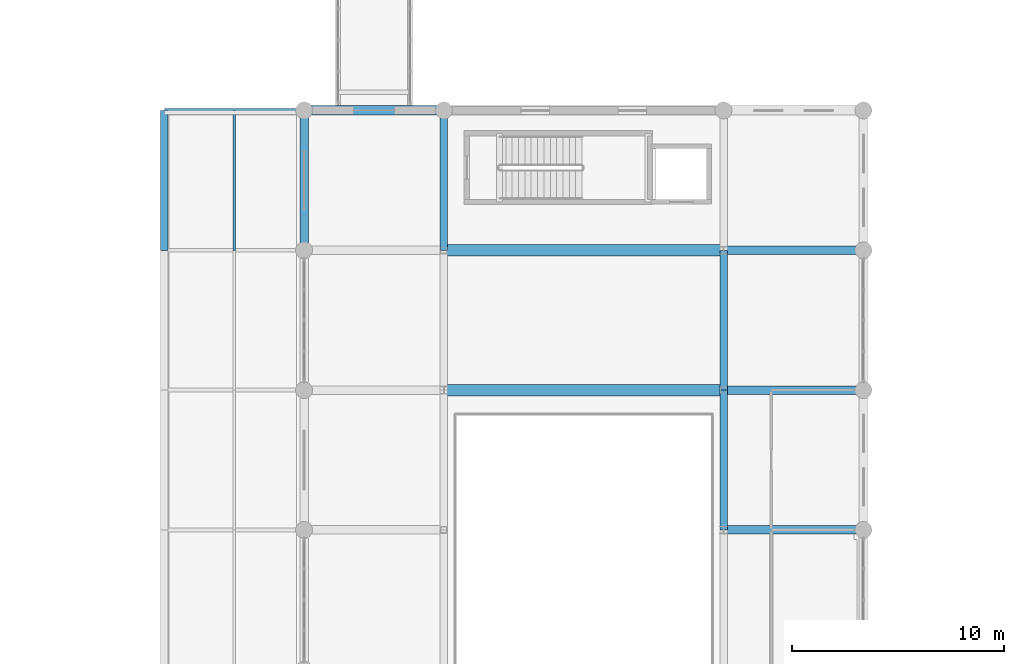
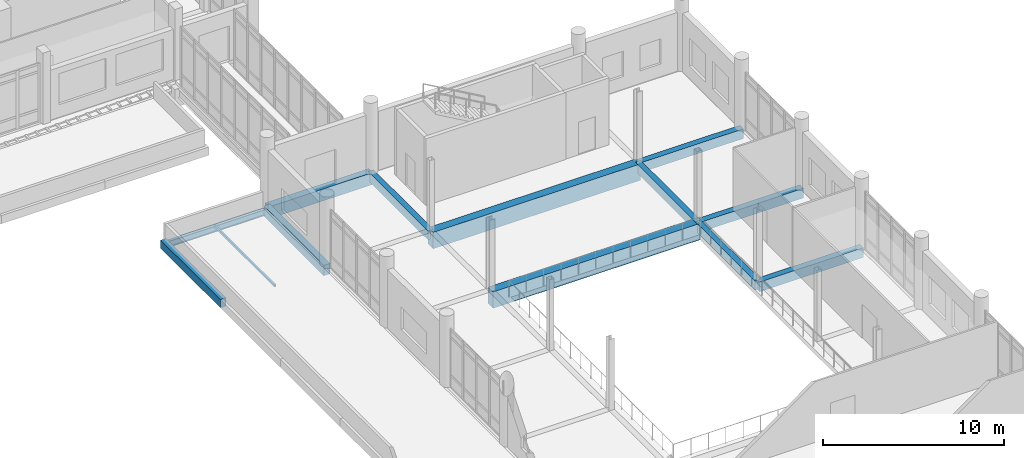
# One storey, part 27 of 125: 12 beams, 1 member.
"""IFC4 building model written with IfcOpenShell, lengths in metres."""

from ifc_helpers import new_model, si_unit, direction, frame, origin, origin_2d, place, context, subcontext, project, spatial, rectangle, hollow_rectangle, i_section, extrude, material, material_profile, profile_set, type_object, element, save


model = new_model("IFC4")

# Units and contexts
model_context = context("Model", 3, precision=1e-05, world=origin(), true_north=direction((0.0, 1.0)))
body_context = subcontext(model_context, "Body", "Model", "MODEL_VIEW")
ifc_project = project(units=[si_unit("LENGTHUNIT", "METRE"), si_unit("AREAUNIT", "SQUARE_METRE"), si_unit("VOLUMEUNIT", "CUBIC_METRE"), si_unit("PLANEANGLEUNIT", "RADIAN"), si_unit("MASSUNIT", "GRAM", prefix="KILO")], contexts=[model_context])

# Site, building, storey
site_placement = place(None, origin())
site = spatial("IfcSite", under=ifc_project, at=site_placement, CompositionType="ELEMENT")
building_placement = place(site_placement, origin())
building = spatial("IfcBuilding", under=site, at=building_placement, Name="Dornvale Research Institute", CompositionType="ELEMENT")
storey_placement = place(building_placement, frame((0.0, 0.0, 5.39990234375)))
storey = spatial("IfcBuildingStorey", under=building, at=storey_placement, Name="L01", CompositionType="ELEMENT", Elevation=5.39990234375)

# Beams
ifc_material_1 = material(Name="Concrete f'c 45 MPa (C35/45)", Category="concrete")
ifc_material_profile_1 = material_profile(ifc_material_1, rectangle(XDim=0.35009765625, YDim=0.60009765625, at=origin_2d()), Name="RC 350x600")
ifc_profile_set_1 = profile_set([ifc_material_profile_1], Name="Concrete f'c 45 MPa (C35/45)")
beam_type_1 = type_object("IfcBeamType", Name="Beam_RC350x600_Floor", PredefinedType="BEAM", material=ifc_profile_set_1)
for number, where, z_axis, x_axis, name in (
    (1, (46.199951171875, 79.199951171875, -0.2998046875), (0.0, 1.0, 0.0), (-1.0, 0.0, 0.0), "L01 transverse girder #537"),
    (2, (59.39990234375, 66.0, -0.2998046875), (0.0, 1.0, 0.0), (-1.0, 0.0, 0.0), "L01 transverse girder #542"),
):
    element("IfcBeam", number, at=place(storey_placement, frame(where, z_axis=z_axis, x_axis=x_axis)), inside=storey, type_object=beam_type_1, Name=name, PredefinedType="BEAM", context=body_context, shape_type="SweptSolid", body=[
        extrude(rectangle(XDim=0.35009765625, YDim=0.60009765625, at=origin_2d()), origin(), (0.0, 0.0, 1.0), 6.60009765625),
    ])
beam_1_placement = place(storey_placement, frame((59.39990234375, 72.60009765625, -0.2998046875), z_axis=(0.0, 1.0, 0.0), x_axis=(-1.0, 0.0, 0.0)))
element("IfcBeam", 3, at=beam_1_placement, inside=storey, type_object=beam_type_1, Name="L01 transverse girder #543", PredefinedType="BEAM", context=body_context, shape_type="SweptSolid", body=[
    extrude(rectangle(XDim=0.35009765625, YDim=0.60009765625, at=origin_2d()), origin(), (0.0, 0.0, 1.0), 6.599853515625),
])
ifc_material_2 = material(Name="Concrete f'c 45 MPa (C35/45)", Category="concrete")
ifc_material_profile_2 = material_profile(ifc_material_2, rectangle(XDim=0.39990234375, YDim=0.64990234375, at=origin_2d()), Name="RC 400x650")
ifc_profile_set_2 = profile_set([ifc_material_profile_2], Name="Concrete f'c 45 MPa (C35/45)")
beam_type_2 = type_object("IfcBeamType", Name="Beam_RC400x650_Floor", PredefinedType="BEAM", material=ifc_profile_set_2)
for number, where, z_axis, x_axis, name in (
    (4, (59.39990234375, 66.0, -0.324951171875), (1.0, 0.0, 0.0), (0.0, 1.0, 0.0), "L01 primary girder #514"),
    (5, (59.39990234375, 72.60009765625, -0.324951171875), (1.0, 0.0, 0.0), (0.0, 1.0, 0.0), "L01 primary girder #517"),
    (6, (59.39990234375, 79.199951171875, -0.324951171875), (1.0, 0.0, 0.0), (0.0, 1.0, 0.0), "L01 primary girder #520"),
):
    element("IfcBeam", number, at=place(storey_placement, frame(where, z_axis=z_axis, x_axis=x_axis)), inside=storey, type_object=beam_type_2, Name=name, PredefinedType="BEAM", context=body_context, shape_type="SweptSolid", body=[
        extrude(rectangle(XDim=0.39990234375, YDim=0.64990234375, at=origin_2d()), origin(), (0.0, 0.0, 1.0), 6.60009765625),
    ])
ifc_material_3 = material(Name="Concrete f'c 45 MPa (C35/45)", Category="concrete")
ifc_material_profile_3 = material_profile(ifc_material_3, rectangle(XDim=0.550048828125, YDim=1.10009765625, at=origin_2d()), Name="RC 550x1100")
ifc_profile_set_3 = profile_set([ifc_material_profile_3], Name="Concrete f'c 45 MPa (C35/45)")
beam_type_3 = type_object("IfcBeamType", Name="Beam_RC550x1100_Girder", PredefinedType="BEAM", material=ifc_profile_set_3)
for number, where, z_axis, x_axis, name in (
    (7, (46.199951171875, 72.60009765625, -0.5498046875), (1.0, 0.0, 0.0), (0.0, 1.0, 0.0), "L01 primary girder #516"),
    (8, (46.199951171875, 79.199951171875, -0.5498046875), (1.0, 0.0, 0.0), (0.0, 1.0, 0.0), "L01 primary girder #519"),
):
    element("IfcBeam", number, at=place(storey_placement, frame(where, z_axis=z_axis, x_axis=x_axis)), inside=storey, type_object=beam_type_3, Name=name, PredefinedType="BEAM", context=body_context, shape_type="SweptSolid", body=[
        extrude(rectangle(XDim=0.550048828125, YDim=1.10009765625, at=origin_2d()), origin(), (0.0, 0.0, 1.0), 13.199951171875),
    ])
ifc_material_4 = material(Name="Steel ASTM A992 Grade 50", Category="steel")
ifc_material_profile_4 = material_profile(ifc_material_4, i_section(OverallWidth=0.178955078125, OverallDepth=0.409912109375, WebThickness=0.0087890625, FlangeThickness=0.014404296875, at=origin_2d()), Name="W16X45")
ifc_profile_set_4 = profile_set([ifc_material_profile_4], Name="Steel ASTM A992 Grade 50")
beam_type_4 = type_object("IfcBeamType", Name="Beam_Steel_W16X45_Canopy", PredefinedType="BEAM", material=ifc_profile_set_4)
beam_2_placement = place(storey_placement, frame((33.0, 85.800048828125, -0.40478515625), z_axis=(1.0, 0.0, 0.0), x_axis=(0.0, 1.0, 0.0)))
element("IfcBeam", 9, at=beam_2_placement, inside=storey, type_object=beam_type_4, Name="L01 entrance canopy rib #1895", PredefinedType="BEAM", context=body_context, shape_type="SweptSolid", body=[
    extrude(i_section(OverallWidth=0.178955078125, OverallDepth=0.409912109375, WebThickness=0.0087890625, FlangeThickness=0.014404296875, at=origin_2d()), origin(), (0.0, 0.0, 1.0), 6.60009765625),
])
ifc_material_5 = material(Name="Concrete f'c 45 MPa (C35/45)", Category="concrete")
ifc_material_profile_5 = material_profile(ifc_material_5, rectangle(XDim=0.35009765625, YDim=0.550048828125, at=origin_2d()), Name="RC 350x550")
ifc_profile_set_5 = profile_set([ifc_material_profile_5], Name="Concrete f'c 45 MPa (C35/45)")
beam_type_5 = type_object("IfcBeamType", Name="Lintel_RC350x550_Arch", PredefinedType="LINTEL", material=ifc_profile_set_5)
beam_3_placement = place(storey_placement, frame((33.0, 79.199951171875, -0.27490234375), z_axis=(0.0, 1.0, 0.0), x_axis=(-1.0, 0.0, 0.0)))
element("IfcBeam", 10, at=beam_3_placement, inside=storey, type_object=beam_type_5, Name="L01 colonnade arch lintel #1879", PredefinedType="LINTEL", context=body_context, shape_type="SweptSolid", body=[
    extrude(rectangle(XDim=0.35009765625, YDim=0.550048828125, at=origin_2d()), origin(), (0.0, 0.0, 1.0), 6.60009765625),
])

# Member
ifc_material_6 = material(Name="Steel ASTM A500 Grade C", Category="steel")
ifc_material_profile_6 = material_profile(ifc_material_6, hollow_rectangle(XDim=0.10205078125, YDim=0.152099609375, WallThickness=0.005859375, at=origin_2d()), Name="HSS152X102X6.4")
ifc_profile_set_6 = profile_set([ifc_material_profile_6], Name="Steel ASTM A500 Grade C")
member_type = type_object("IfcMemberType", Name="Purlin_HSS152X102_Canopy", PredefinedType="PURLIN", material=ifc_profile_set_6)
member_placement = place(storey_placement, frame((36.300048828125, 79.199951171875, -0.27587890625), z_axis=(0.0, 1.0, 0.0), x_axis=(-1.0, 0.0, 0.0)))
element("IfcMember", 11, at=member_placement, inside=storey, type_object=member_type, Name="Entrance canopy purlin #19", PredefinedType="PURLIN", context=body_context, shape_type="SweptSolid", body=[
    extrude(hollow_rectangle(XDim=0.10205078125, YDim=0.152099609375, WallThickness=0.005859375, at=origin_2d()), origin(), (0.0, 0.0, 1.0), 6.60009765625),
])

# Beams
ifc_material_7 = material(Name="Concrete f'c 45 MPa (C35/45)", Category="concrete")
ifc_material_profile_7 = material_profile(ifc_material_7, rectangle(XDim=0.39990234375, YDim=0.699951171875, at=origin_2d()), Name="RC 400x700")
ifc_profile_set_7 = profile_set([ifc_material_profile_7], Name="Concrete f'c 45 MPa (C35/45)")
beam_type_6 = type_object("IfcBeamType", Name="Spandrel_RC400x700_Ext", PredefinedType="SPANDREL", material=ifc_profile_set_7)
beam_4_placement = place(storey_placement, frame((39.60009765625, 79.199951171875, -0.349853515625), z_axis=(0.0, 1.0, 0.0), x_axis=(-1.0, 0.0, 0.0)))
element("IfcBeam", 12, at=beam_4_placement, inside=storey, type_object=beam_type_6, Name="L01 perimeter spandrel #530", PredefinedType="SPANDREL", context=body_context, shape_type="SweptSolid", body=[
    extrude(rectangle(XDim=0.39990234375, YDim=0.699951171875, at=origin_2d()), origin(), (0.0, 0.0, 1.0), 6.60009765625),
])
ifc_material_8 = material(Name="Concrete f'c 45 MPa (C35/45)", Category="concrete")
ifc_material_profile_8 = material_profile(ifc_material_8, rectangle(XDim=0.449951171875, YDim=0.800048828125, at=origin_2d()), Name="RC 450x800")
ifc_profile_set_8 = profile_set([ifc_material_profile_8], Name="Concrete f'c 45 MPa (C35/45)")
beam_type_7 = type_object("IfcBeamType", Name="Spandrel_RC450x800_Ext", PredefinedType="SPANDREL", material=ifc_profile_set_8)
beam_5_placement = place(storey_placement, frame((39.60009765625, 85.800048828125, -0.39990234375), z_axis=(1.0, 0.0, 0.0), x_axis=(0.0, 1.0, 0.0)))
element("IfcBeam", 13, at=beam_5_placement, inside=storey, type_object=beam_type_7, Name="L01 perimeter spandrel #521", PredefinedType="SPANDREL", context=body_context, shape_type="SweptSolid", body=[
    extrude(rectangle(XDim=0.449951171875, YDim=0.800048828125, at=origin_2d()), origin(), (0.0, 0.0, 1.0), 6.599853515625),
])

save(model, "model.ifc")
